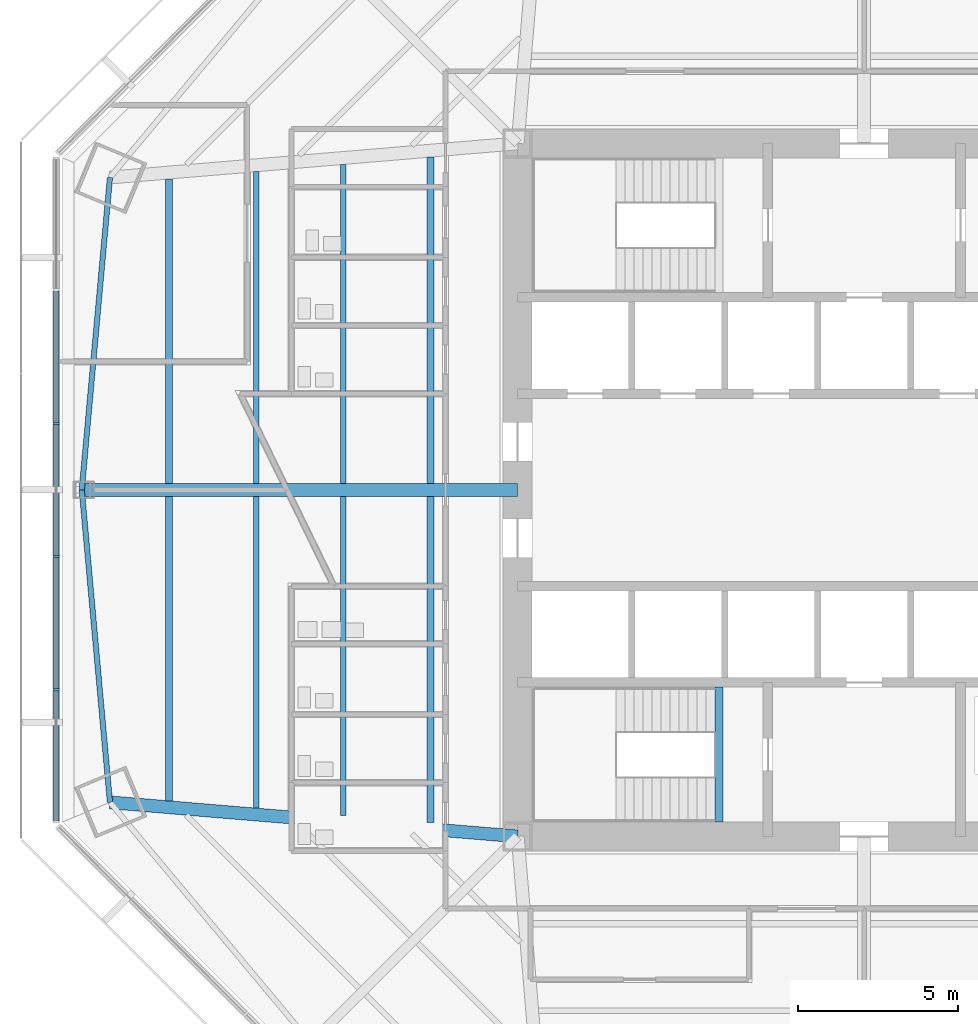
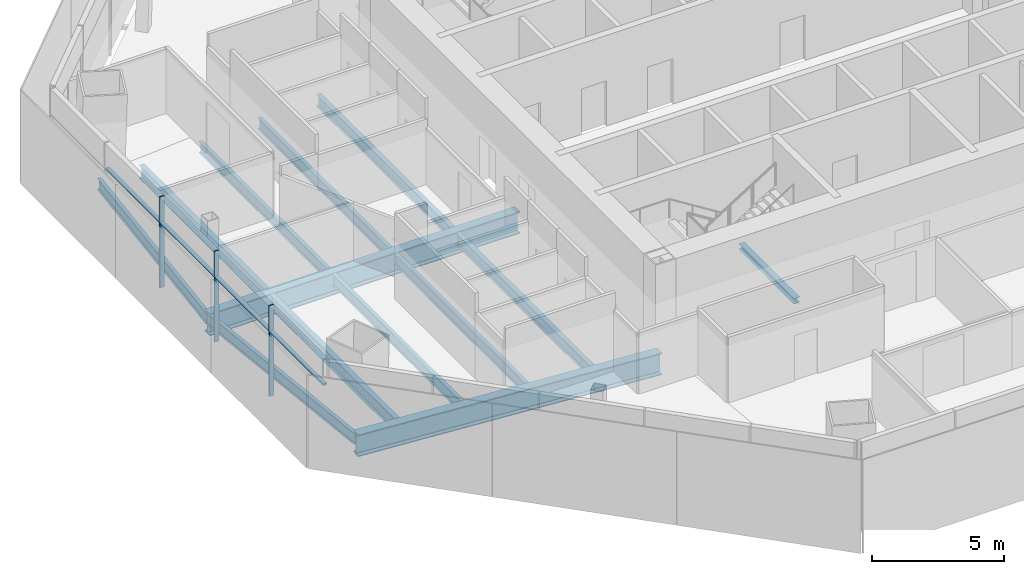
# One storey, part 3 of 16: 13 beams, 7 members, 1 element without a shape of its own.
"""IFC4 building model written with IfcOpenShell, lengths in metres."""

import ifcopenshell
import ifcopenshell.guid

model = None  # the IFC model being written
_history = None  # IfcOwnerHistory: only IFC2X3 demands one
_inside = {}  # id of a spatial element -> (the spatial element, [elements in it])
_under = {}  # id of a project, library or spatial element -> (it, [spatial elements below it])
_declared = {}  # id of a project -> (the project, [libraries it declares])
_typed = {}  # id of a type object -> (the type object, [elements of that type])
_made_of = {}  # id of a material, layer set ... -> (it, [elements and type objects made of it])


def new_model(schema):
    """Start an empty IFC model of exactly this schema.

    Asked for "IFC4X3", IfcOpenShell would pick the latest addendum, in which some entities
    have other attributes; the version numbers below select the first issue.
    IFC2X3 requires an IfcOwnerHistory on every rooted entity: one is made here for all.
    """
    global model, _history
    if schema == "IFC4X3":
        model = ifcopenshell.file(schema_version=(4, 3, 0, 0))
    else:
        model = ifcopenshell.file(schema=schema)
    _inside.clear()
    _under.clear()
    _declared.clear()
    _typed.clear()
    _made_of.clear()
    _history = None
    if model.schema == "IFC2X3":
        org = make("IfcOrganization", Name="unknown")
        user = make(
            "IfcPersonAndOrganization",
            ThePerson=make("IfcPerson", FamilyName="unknown"),
            TheOrganization=org,
        )
        app = make(
            "IfcApplication",
            ApplicationDeveloper=org,
            Version="unknown",
            ApplicationFullName="unknown",
            ApplicationIdentifier="unknown",
        )
        _history = make(
            "IfcOwnerHistory",
            OwningUser=user,
            OwningApplication=app,
            ChangeAction="ADDED",
            CreationDate=0,
        )
    return model


def make(cls, **values):
    """One entity of the class cls with the attributes given. An attribute that is None is left unset."""
    return model.create_entity(
        cls, **{name: value for name, value in values.items() if value is not None}
    )


def rooted(cls, **values):
    """An entity with a GlobalId (a new one), such as an element, a storey or a relation."""
    return make(cls, GlobalId=ifcopenshell.guid.new(), OwnerHistory=_history, **values)


def si_unit(unit_type, name, prefix=None):
    """IfcSIUnit, for example si_unit("LENGTHUNIT", "METRE", prefix="MILLI")."""
    return make("IfcSIUnit", UnitType=unit_type, Prefix=prefix, Name=name)


def assignment(units):
    """IfcUnitAssignment: the units of a project."""
    return None if units is None else make("IfcUnitAssignment", Units=units)


def point(xyz):
    """IfcCartesianPoint."""
    return None if xyz is None else make("IfcCartesianPoint", Coordinates=xyz)


def direction(xyz):
    """IfcDirection."""
    return None if xyz is None else make("IfcDirection", DirectionRatios=xyz)


def frame(location, z_axis=None, x_axis=None):
    """IfcAxis2Placement3D, a coordinate frame: its origin and axes. An axis left out is left unset."""
    return make(
        "IfcAxis2Placement3D",
        Location=point(location),
        Axis=direction(z_axis),
        RefDirection=direction(x_axis),
    )


def frame_2d(location, x_axis=None):
    """IfcAxis2Placement2D, a coordinate frame in the plane: its origin and x axis."""
    return make(
        "IfcAxis2Placement2D", Location=point(location), RefDirection=direction(x_axis)
    )


def origin():
    """The frame at (0, 0, 0) with its axes left unset."""
    return frame((0.0, 0.0, 0.0))


def origin_2d():
    """The frame at (0, 0) in the plane with its x axis left unset."""
    return frame_2d((0.0, 0.0))


def place(relative_to, where):
    """IfcLocalPlacement: puts the frame where relative to a parent placement (None: the world)."""
    return make(
        "IfcLocalPlacement", PlacementRelTo=relative_to, RelativePlacement=where
    )


def context(
    kind, dimensions, precision=None, world=None, true_north=None, identifier=None
):
    """IfcGeometricRepresentationContext, for example the 3D "Model" context."""
    return make(
        "IfcGeometricRepresentationContext",
        ContextIdentifier=identifier,
        ContextType=kind,
        CoordinateSpaceDimension=dimensions,
        Precision=precision,
        WorldCoordinateSystem=world,
        TrueNorth=true_north,
    )


def subcontext(parent, identifier, kind, view, scale=None):
    """IfcGeometricRepresentationSubContext, for example "Body" below "Model"."""
    return make(
        "IfcGeometricRepresentationSubContext",
        ContextIdentifier=identifier,
        ContextType=kind,
        ParentContext=parent,
        TargetScale=scale,
        TargetView=view,
    )


def project(units=None, contexts=None):
    """IfcProject with its units and contexts."""
    return rooted(
        "IfcProject",
        Name="project",
        RepresentationContexts=contexts,
        UnitsInContext=assignment(units),
    )


def spatial(cls, under=None, at=None, **own):
    """A site, building, storey or space (cls), placed at a placement, below another one or the project."""
    s = rooted(cls, ObjectPlacement=at, **own)
    if under is not None:
        _under.setdefault(under.id(), (under, []))[1].append(s)
    return s


def profile(cls, at=None, kind="AREA", **sizes):
    """A parametric profile (cls). Its sizes go by their IFC names, for example OverallWidth=200.0."""
    return make(cls, ProfileType=kind, Position=at, **sizes)


def rectangle(**sizes):
    """IfcRectangleProfileDef."""
    return profile("IfcRectangleProfileDef", **sizes)


def i_section(**sizes):
    """IfcIShapeProfileDef."""
    return profile("IfcIShapeProfileDef", **sizes)


def extrude(swept, where, along, depth):
    """IfcExtrudedAreaSolid: the profile swept, set in the frame where, extruded along a direction by depth."""
    return make(
        "IfcExtrudedAreaSolid",
        SweptArea=swept,
        Position=where,
        ExtrudedDirection=direction(along),
        Depth=depth,
    )


def shape(context_of_items, identifier, shape_type, items):
    """IfcShapeRepresentation: the items that make up one representation, for example the "Body"."""
    return make(
        "IfcShapeRepresentation",
        ContextOfItems=context_of_items,
        RepresentationIdentifier=identifier,
        RepresentationType=shape_type,
        Items=items,
    )


def source(mapping_origin, context_of_items, identifier, shape_type, items):
    """IfcRepresentationMap: a shape defined once, which mapped items show again and again."""
    return make(
        "IfcRepresentationMap",
        MappingOrigin=mapping_origin,
        MappedRepresentation=shape(context_of_items, identifier, shape_type, items),
    )


def transform(
    local_origin,
    x_axis=None,
    y_axis=None,
    z_axis=None,
    scale=None,
    scale2=None,
    scale3=None,
    uniform=True,
):
    """IfcCartesianTransformationOperator3D, or its non-uniform kind. x_axis, y_axis, z_axis: its Axis1, 2, 3."""
    if uniform:
        return make(
            "IfcCartesianTransformationOperator3D",
            Axis1=direction(x_axis),
            Axis2=direction(y_axis),
            LocalOrigin=point(local_origin),
            Scale=scale,
            Axis3=direction(z_axis),
        )
    return make(
        "IfcCartesianTransformationOperator3DnonUniform",
        Axis1=direction(x_axis),
        Axis2=direction(y_axis),
        LocalOrigin=point(local_origin),
        Scale=scale,
        Axis3=direction(z_axis),
        Scale2=scale2,
        Scale3=scale3,
    )


def mapped(mapping_source, mapping_target):
    """IfcMappedItem: shows the shape of a source again, moved by a transform."""
    return make(
        "IfcMappedItem", MappingSource=mapping_source, MappingTarget=mapping_target
    )


def material(Name=None, Category=None):
    """IfcMaterial."""
    return make("IfcMaterial", Name=Name, Category=Category)


def material_profile(
    of_material, cross_section, Name=None, Category=None, Priority=None
):
    """IfcMaterialProfile: a cross section and its material."""
    return make(
        "IfcMaterialProfile",
        Name=Name,
        Material=of_material,
        Profile=cross_section,
        Priority=Priority,
        Category=Category,
    )


def profile_set(profiles, Name=None, composite=None):
    """IfcMaterialProfileSet."""
    return make(
        "IfcMaterialProfileSet",
        Name=Name,
        MaterialProfiles=profiles,
        CompositeProfile=composite,
    )


def made_of(thing, what):
    """Note that an element or type object is made of a material, layer set ...; save() writes the relation."""
    if what is not None:
        _made_of.setdefault(what.id(), (what, []))[1].append(thing)
    return thing


def type_object(cls, material=None, **own):
    """A type object (cls), such as IfcWallType, which elements share."""
    return made_of(rooted(cls, **own), material)


def type_shapes(of_type, sources):
    """Give a type object the sources (RepresentationMaps) that its elements show as mapped items."""
    of_type.RepresentationMaps = sources


def element(
    cls,
    number,
    at=None,
    inside=None,
    cuts=None,
    type_object=None,
    material=None,
    context=None,
    identifier="Body",
    shape_type=None,
    held_by="IfcProductDefinitionShape",
    body=None,
    shapes=None,
    **own,
):
    """One element of the class cls, such as IfcWall. Its Tag is "e" and its number.

    at: its placement. inside: the storey or other place that contains it. cuts: it is an
    opening in that element (IfcRelVoidsElement). A single representation is given by context,
    identifier, shape_type and body (its items); several are given by shapes. held_by: the class
    of the entity that holds the representations. save() writes the other relations.
    """
    e = rooted(cls, Tag="e%d" % number, ObjectPlacement=at, **own)
    if body is not None:
        shapes = [shape(context, identifier, shape_type, body)]
    if shapes is not None:
        e.Representation = make(held_by, Representations=shapes)
    if inside is not None:
        _inside.setdefault(inside.id(), (inside, []))[1].append(e)
    if cuts is not None:
        rooted(
            "IfcRelVoidsElement", RelatingBuildingElement=cuts, RelatedOpeningElement=e
        )
    if type_object is not None:
        _typed.setdefault(type_object.id(), (type_object, []))[1].append(e)
    return made_of(e, material)


def aggregate(whole, parts):
    """IfcRelAggregates: a whole, such as a stair, and the parts it consists of."""
    return rooted("IfcRelAggregates", RelatingObject=whole, RelatedObjects=parts)


def save(model, path):
    """Write the relations noted so far, then the file.

    IfcRelAggregates (storeys below a building ...), IfcRelContainedInSpatialStructure (elements
    in a storey), IfcRelDefinesByType, IfcRelAssociatesMaterial and IfcRelDeclares: one each for
    every whole, place, type object, material and project.
    """
    for whole, parts in _under.values():
        aggregate(whole, parts)
    for where, things in _inside.values():
        rooted(
            "IfcRelContainedInSpatialStructure",
            RelatedElements=things,
            RelatingStructure=where,
        )
    for kind, things in _typed.values():
        rooted("IfcRelDefinesByType", RelatedObjects=things, RelatingType=kind)
    for what, things in _made_of.values():
        rooted("IfcRelAssociatesMaterial", RelatedObjects=things, RelatingMaterial=what)
    for by, libraries in _declared.values():
        rooted("IfcRelDeclares", RelatingContext=by, RelatedDefinitions=libraries)
    model.write(path)


model = new_model("IFC4")

# Units and contexts
model_context = context("Model", 3, precision=1e-05, world=origin(), true_north=direction((0.0, 1.0)))
body_context = subcontext(model_context, "Body", "Model", "MODEL_VIEW")
ifc_project = project(units=[si_unit("LENGTHUNIT", "METRE"), si_unit("AREAUNIT", "SQUARE_METRE"), si_unit("VOLUMEUNIT", "CUBIC_METRE"), si_unit("PLANEANGLEUNIT", "RADIAN"), si_unit("MASSUNIT", "GRAM", prefix="KILO")], contexts=[model_context])

# Site, building, storey
site_placement = place(None, origin())
site = spatial("IfcSite", under=ifc_project, at=site_placement, CompositionType="ELEMENT")
building_placement = place(site_placement, origin())
building = spatial("IfcBuilding", under=site, at=building_placement, Name="Mashrafa Tower", CompositionType="ELEMENT")
storey_placement = place(building_placement, frame((0.0, 0.0, 100.199951171875)))
storey = spatial("IfcBuildingStorey", under=building, at=storey_placement, Name="L22", CompositionType="ELEMENT", Elevation=100.199951171875)

# Beams
ifc_material_1 = material(Name="Steel ASTM A992", Category="steel")
ifc_material_profile_1 = material_profile(ifc_material_1, i_section(OverallWidth=0.1650390625, OverallDepth=0.52587890625, WebThickness=0.0087890625, FlangeThickness=0.011474609375, FilletRadius=0.0126953125, at=origin_2d()), Name="W21X44")
ifc_profile_set_1 = profile_set([ifc_material_profile_1], Name="Steel ASTM A992")
beam_type_1 = type_object("IfcBeamType", Name="Beam W21X44", PredefinedType="BEAM", material=ifc_profile_set_1)
for number, where, z_axis, x_axis, name in (
    (1, (-18.950927734375, -9.91650390625, -0.427734375), (0.0, 1.0, 0.0), (-1.0, 0.0, 0.0), "Floor beam L22 004"),
    (2, (-18.950927734375, 0.20068359375, -0.427734375), (0.0, 1.0, 0.0), (-1.0, 0.0, 0.0), "Floor beam L22 005"),
):
    element("IfcBeam", number, at=place(storey_placement, frame(where, z_axis=z_axis, x_axis=x_axis)), inside=storey, type_object=beam_type_1, Name=name, PredefinedType="BEAM", context=body_context, shape_type="SweptSolid", body=[
        extrude(i_section(OverallWidth=0.1650390625, OverallDepth=0.52587890625, WebThickness=0.0087890625, FlangeThickness=0.011474609375, FilletRadius=0.0126953125, at=origin_2d()), origin(), (0.0, 0.0, 1.0), 9.7158203125),
    ])
ifc_material_2 = material(Name="Steel ASTM A992", Category="steel")
ifc_material_profile_2 = material_profile(ifc_material_2, i_section(OverallWidth=0.165771484375, OverallDepth=0.5283203125, WebThickness=0.009765625, FlangeThickness=0.013671875, FilletRadius=0.012939453125, at=origin_2d()), Name="W21X50")
ifc_profile_set_2 = profile_set([ifc_material_profile_2], Name="Steel ASTM A992")
beam_type_2 = type_object("IfcBeamType", Name="Beam W21X50", PredefinedType="BEAM", material=ifc_profile_set_2)
for number, where, z_axis, x_axis, name in (
    (3, (-16.23388671875, -10.143798828125, -0.42919921875), (0.0, 1.0, 0.0), (-1.0, 0.0, 0.0), "Floor beam L22 007"),
    (4, (-16.23388671875, 0.20068359375, -0.42919921875), (0.0, 1.0, 0.0), (-1.0, 0.0, 0.0), "Floor beam L22 008"),
):
    element("IfcBeam", number, at=place(storey_placement, frame(where, z_axis=z_axis, x_axis=x_axis)), inside=storey, type_object=beam_type_2, Name=name, PredefinedType="BEAM", context=body_context, shape_type="SweptSolid", body=[
        extrude(i_section(OverallWidth=0.165771484375, OverallDepth=0.5283203125, WebThickness=0.009765625, FlangeThickness=0.013671875, FilletRadius=0.012939453125, at=origin_2d()), origin(), (0.0, 0.0, 1.0), 9.943115234375),
    ])
for number, where, z_axis, x_axis, name in (
    (5, (-24.385009765625, 0.0, -0.42919921875), (0.089851231184, -0.995955197915, 0.0), (0.995955197915, 0.089851231184, 0.0), "Spandrel beam L22 073"),
    (6, (-23.506591796875, 9.73681640625, -0.42919921875), (-0.089851231184, -0.995955197915, 0.0), (0.995955197915, -0.089851231184, 0.0), "Spandrel beam L22 075"),
):
    element("IfcBeam", number, at=place(storey_placement, frame(where, z_axis=z_axis, x_axis=x_axis)), inside=storey, type_object=beam_type_2, Name=name, PredefinedType="BEAM", context=body_context, shape_type="SweptSolid", body=[
        extrude(i_section(OverallWidth=0.165771484375, OverallDepth=0.5283203125, WebThickness=0.009765625, FlangeThickness=0.013671875, FilletRadius=0.012939453125, at=origin_2d()), origin(), (0.0, 0.0, 1.0), 9.7763671875),
    ])
ifc_material_3 = material(Name="Steel ASTM A992", Category="steel")
ifc_material_profile_3 = material_profile(ifc_material_3, i_section(OverallWidth=0.209228515625, OverallDepth=0.533447265625, WebThickness=0.01025390625, FlangeThickness=0.015625, FilletRadius=0.012939453125, at=origin_2d()), Name="W21X62")
ifc_profile_set_3 = profile_set([ifc_material_profile_3], Name="Steel ASTM A992")
beam_type_3 = type_object("IfcBeamType", Name="Beam W21X62", PredefinedType="BEAM", material=ifc_profile_set_3)
for number, where, z_axis, x_axis, name in (
    (7, (-13.51708984375, -10.371337890625, -0.431640625), (0.0, 1.0, 0.0), (-1.0, 0.0, 0.0), "Floor beam L22 014"),
    (8, (-13.51708984375, 0.20068359375, -0.431640625), (0.0, 1.0, 0.0), (-1.0, 0.0, 0.0), "Floor beam L22 015"),
):
    element("IfcBeam", number, at=place(storey_placement, frame(where, z_axis=z_axis, x_axis=x_axis)), inside=storey, type_object=beam_type_3, Name=name, PredefinedType="BEAM", context=body_context, shape_type="SweptSolid", body=[
        extrude(i_section(OverallWidth=0.209228515625, OverallDepth=0.533447265625, WebThickness=0.01025390625, FlangeThickness=0.015625, FilletRadius=0.012939453125, at=origin_2d()), origin(), (0.0, 0.0, 1.0), 10.170654296875),
    ])
ifc_material_4 = material(Name="Steel ASTM A992", Category="steel")
ifc_material_profile_4 = material_profile(ifc_material_4, i_section(OverallWidth=0.227783203125, OverallDepth=0.60205078125, WebThickness=0.010498046875, FlangeThickness=0.014892578125, FilletRadius=0.012939453125, at=origin_2d()), Name="W24X68")
ifc_profile_set_4 = profile_set([ifc_material_profile_4], Name="Steel ASTM A992")
beam_type_4 = type_object("IfcBeamType", Name="Beam W24X68", PredefinedType="BEAM", material=ifc_profile_set_4)
for number, where, z_axis, x_axis, name in (
    (9, (-21.66796875, -9.689208984375, -0.4658203125), (0.0, 1.0, 0.0), (-1.0, 0.0, 0.0), "Floor beam L22 001"),
    (10, (-21.66796875, 0.20068359375, -0.4658203125), (0.0, 1.0, 0.0), (-1.0, 0.0, 0.0), "Floor beam L22 002"),
):
    element("IfcBeam", number, at=place(storey_placement, frame(where, z_axis=z_axis, x_axis=x_axis)), inside=storey, type_object=beam_type_4, Name=name, PredefinedType="BEAM", context=body_context, shape_type="SweptSolid", body=[
        extrude(i_section(OverallWidth=0.227783203125, OverallDepth=0.60205078125, WebThickness=0.010498046875, FlangeThickness=0.014892578125, FilletRadius=0.012939453125, at=origin_2d()), origin(), (0.0, 0.0, 1.0), 9.488525390625),
    ])
ifc_material_5 = material(Name="Steel ASTM A992", Category="steel")
ifc_material_profile_5 = material_profile(ifc_material_5, i_section(OverallWidth=0.4013671875, OverallDepth=1.010986328125, WebThickness=0.023681640625, FlangeThickness=0.0419921875, FilletRadius=0.02001953125, at=origin_2d()), Name="W40X297")
ifc_profile_set_5 = profile_set([ifc_material_profile_5], Name="Steel ASTM A992")
beam_type_5 = type_object("IfcBeamType", Name="Beam W40X297", PredefinedType="BEAM", material=ifc_profile_set_5)
beam_1_placement = place(storey_placement, frame((-10.800048828125, -10.800048828125, -0.67041015625), z_axis=(-0.996517442429, 0.083384572528, 0.0), x_axis=(-0.083384572528, -0.996517442429, 0.0)))
element("IfcBeam", 11, at=beam_1_placement, inside=storey, type_object=beam_type_5, Name="Radial girder L22 057", PredefinedType="BEAM", context=body_context, shape_type="SweptSolid", body=[
    extrude(i_section(OverallWidth=0.4013671875, OverallDepth=1.010986328125, WebThickness=0.023681640625, FlangeThickness=0.0419921875, FilletRadius=0.02001953125, at=origin_2d()), origin(), (0.0, 0.0, 1.0), 12.7509765625),
])
beam_2_placement = place(storey_placement, frame((-10.800048828125, 0.0, -0.67041015625), z_axis=(-1.0, 0.0, 0.0), x_axis=(0.0, -1.0, 0.0)))
element("IfcBeam", 12, at=beam_2_placement, inside=storey, type_object=beam_type_5, Name="Radial girder L22 060", PredefinedType="BEAM", context=body_context, shape_type="SweptSolid", body=[
    extrude(i_section(OverallWidth=0.4013671875, OverallDepth=1.010986328125, WebThickness=0.023681640625, FlangeThickness=0.0419921875, FilletRadius=0.02001953125, at=origin_2d()), origin(), (0.0, 0.0, 1.0), 13.5849609375),
])
ifc_material_6 = material(Name="Steel ASTM A992", Category="steel")
ifc_material_profile_6 = material_profile(ifc_material_6, i_section(OverallWidth=0.25390625, OverallDepth=0.25390625, WebThickness=0.008544921875, FlangeThickness=0.01416015625, FilletRadius=0.010009765625, at=origin_2d()), Name="W10X49")
ifc_profile_set_6 = profile_set([ifc_material_profile_6], Name="Steel ASTM A992")
beam_type_6 = type_object("IfcBeamType", Name="Hoistway beam W10X49", PredefinedType="BEAM", material=ifc_profile_set_6)
beam_3_placement = place(storey_placement, frame((-4.530029296875, -10.35009765625, -0.326904296875), z_axis=(0.0, 1.0, 0.0), x_axis=(-1.0, 0.0, 0.0)))
element("IfcBeam", 13, at=beam_3_placement, inside=storey, type_object=beam_type_6, Name="Stair S3 landing beam L22", PredefinedType="BEAM", context=body_context, shape_type="SweptSolid", body=[
    extrude(i_section(OverallWidth=0.25390625, OverallDepth=0.25390625, WebThickness=0.008544921875, FlangeThickness=0.01416015625, FilletRadius=0.010009765625, at=origin_2d()), origin(), (0.0, 0.0, 1.0), 4.2001953125),
])

# Curtain wall, members
ifc_material_7 = material(Name="Unitised aluminium curtain wall", Category="aluminium")
curtain_wall_type = type_object("IfcCurtainWallType", Name="Office curtain wall, zone 1 CW-A 200 deep", PredefinedType="NOTDEFINED", material=ifc_material_7)
curtain_wall_placement = place(storey_placement, origin())
curtain_wall = element("IfcCurtainWall", 14, at=curtain_wall_placement, inside=storey, type_object=curtain_wall_type, Name="Office curtain wall, zone 1 L22 west", PredefinedType="NOTDEFINED")
ifc_material_8 = material(Name="Extruded aluminium mullion", Category="aluminium")
ifc_material_profile_7 = material_profile(ifc_material_8, rectangle(XDim=0.199951171875, YDim=0.06494140625, at=origin_2d()), Name="Mullion 65x200")
ifc_profile_set_7 = profile_set([ifc_material_profile_7], Name="Extruded aluminium mullion")
member_type_1 = type_object("IfcMemberType", Name="Mullion CW-A 65 x 200", PredefinedType="MULLION", material=ifc_profile_set_7)
shared_shape_1 = source(origin(), body_context, "Body", "SweptSolid", [
    extrude(rectangle(XDim=0.199951171875, YDim=0.06494140625, at=origin_2d()), origin(), (0.0, 0.0, 1.0), 4.199951171875),
])
type_shapes(member_type_1, [shared_shape_1])
member_1_placement = place(storey_placement, frame((-25.18017578125, 2.07568359375, 0.0), z_axis=(0.0, 0.0, 1.0), x_axis=(1.0, 0.0, 0.0)))
member_1 = element("IfcMember", 15, at=member_1_placement, type_object=member_type_1, Name="CW-A mullion 3", PredefinedType="MULLION", context=body_context, shape_type="MappedRepresentation", body=[
    mapped(shared_shape_1, transform((0.0, 0.0, 0.0))),
])
member_2_placement = place(storey_placement, frame((-25.18017578125, -2.07568359375, 0.0), z_axis=(0.0, 0.0, 1.0), x_axis=(1.0, 0.0, 0.0)))
member_2 = element("IfcMember", 16, at=member_2_placement, type_object=member_type_1, Name="CW-A mullion 4", PredefinedType="MULLION", context=body_context, shape_type="MappedRepresentation", body=[
    mapped(shared_shape_1, transform((0.0, 0.0, 0.0))),
])
member_3_placement = place(storey_placement, frame((-25.18017578125, -6.22705078125, 0.0), z_axis=(0.0, 0.0, 1.0), x_axis=(1.0, 0.0, 0.0)))
member_3 = element("IfcMember", 17, at=member_3_placement, type_object=member_type_1, Name="CW-A mullion 5", PredefinedType="MULLION", context=body_context, shape_type="MappedRepresentation", body=[
    mapped(shared_shape_1, transform((0.0, 0.0, 0.0))),
])
ifc_material_9 = material(Name="Extruded aluminium transom", Category="aluminium")
ifc_material_profile_8 = material_profile(ifc_material_9, rectangle(XDim=0.159912109375, YDim=0.080078125, at=origin_2d()), Name="Transom 80x160")
ifc_profile_set_8 = profile_set([ifc_material_profile_8], Name="Extruded aluminium transom")
member_type_2 = type_object("IfcMemberType", Name="Transom CW-A 80 x 160", PredefinedType="MULLION", material=ifc_profile_set_8)
shared_shape_2 = source(origin(), body_context, "Body", "SweptSolid", [
    extrude(rectangle(XDim=0.159912109375, YDim=0.080078125, at=origin_2d()), origin(), (0.0, 0.0, 1.0), 4.053955078125),
])
member_4_placement = place(storey_placement, frame((-25.18017578125, -6.259521484375, 3.0), z_axis=(0.0, -1.0, 0.0), x_axis=(1.0, 0.0, 0.0)))
member_4 = element("IfcMember", 18, at=member_4_placement, type_object=member_type_2, Name="CW-A transom 5", PredefinedType="MULLION", context=body_context, shape_type="MappedRepresentation", body=[
    mapped(shared_shape_2, transform((0.0, 0.0, 0.0))),
])
shared_shape_3 = source(origin(), body_context, "Body", "SweptSolid", [
    extrude(rectangle(XDim=0.159912109375, YDim=0.080078125, at=origin_2d()), origin(), (0.0, 0.0, 1.0), 4.08642578125),
])
type_shapes(member_type_2, [shared_shape_2, shared_shape_3])
member_5_placement = place(storey_placement, frame((-25.18017578125, 6.194580078125, 3.0), z_axis=(0.0, -1.0, 0.0), x_axis=(1.0, 0.0, 0.0)))
member_5 = element("IfcMember", 19, at=member_5_placement, type_object=member_type_2, Name="CW-A transom 2", PredefinedType="MULLION", context=body_context, shape_type="MappedRepresentation", body=[
    mapped(shared_shape_3, transform((0.0, 0.0, 0.0))),
])
member_6_placement = place(storey_placement, frame((-25.18017578125, 2.043212890625, 3.0), z_axis=(0.0, -1.0, 0.0), x_axis=(1.0, 0.0, 0.0)))
member_6 = element("IfcMember", 20, at=member_6_placement, type_object=member_type_2, Name="CW-A transom 3", PredefinedType="MULLION", context=body_context, shape_type="MappedRepresentation", body=[
    mapped(shared_shape_3, transform((0.0, 0.0, 0.0))),
])
member_7_placement = place(storey_placement, frame((-25.18017578125, -2.108154296875, 3.0), z_axis=(0.0, -1.0, 0.0), x_axis=(1.0, 0.0, 0.0)))
member_7 = element("IfcMember", 21, at=member_7_placement, type_object=member_type_2, Name="CW-A transom 4", PredefinedType="MULLION", context=body_context, shape_type="MappedRepresentation", body=[
    mapped(shared_shape_3, transform((0.0, 0.0, 0.0))),
])
aggregate(curtain_wall, [member_1, member_2, member_3, member_5, member_6, member_7, member_4])

save(model, "model.ifc")
